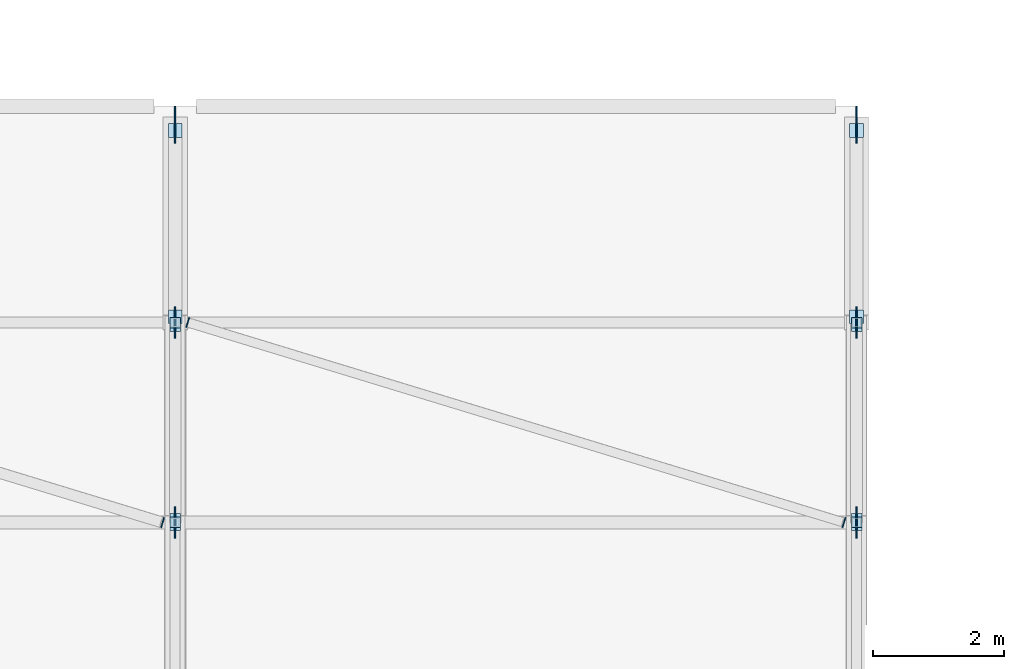
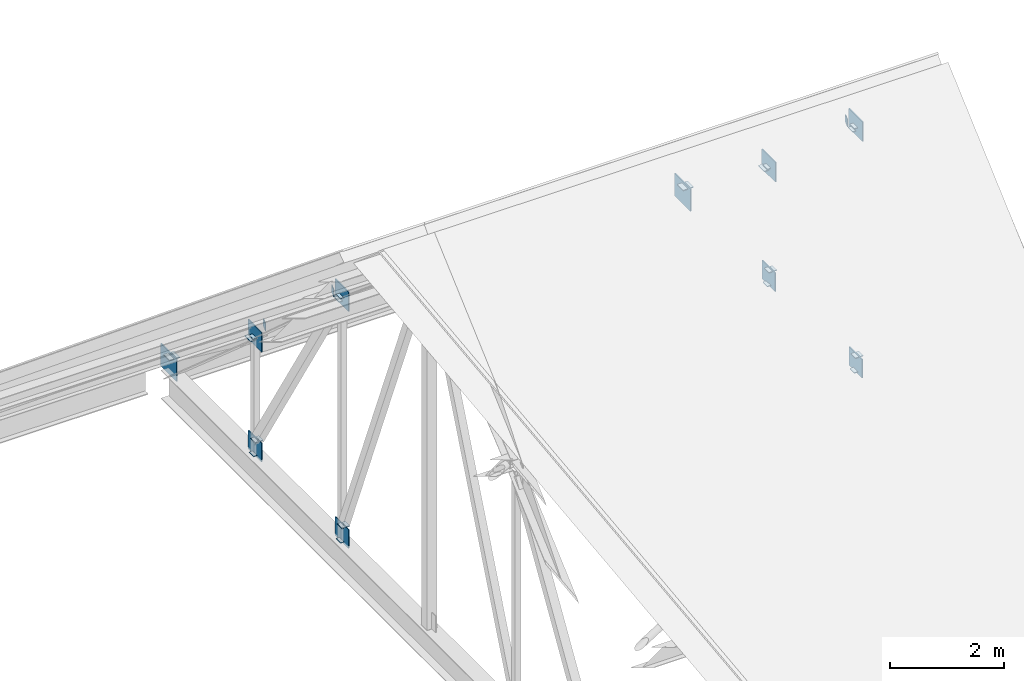
# One storey, part 54 of 86: 31 plates.
"""IFC4 building model written with IfcOpenShell, lengths in metres."""

from ifc_helpers import new_model, si_unit, derived_unit, direction, frame, origin, origin_2d, place, context, subcontext, project, spatial, rectangle, extrude, material, layer, layer_set, type_object, element, save


model = new_model("IFC4")

# Units and contexts
model_context = context("Model", 3, precision=1e-05, world=origin(), true_north=direction((0.0, 1.0)))
body_context = subcontext(model_context, "Body", "Model", "MODEL_VIEW")
ifc_project = project(units=[si_unit("LENGTHUNIT", "METRE"), si_unit("AREAUNIT", "SQUARE_METRE"), si_unit("VOLUMEUNIT", "CUBIC_METRE"), si_unit("PLANEANGLEUNIT", "RADIAN"), si_unit("MASSUNIT", "GRAM", prefix="KILO"), derived_unit("THERMALTRANSMITTANCEUNIT", [(si_unit("POWERUNIT", "WATT"), 1), (si_unit("LENGTHUNIT", "METRE"), -2), (si_unit("THERMODYNAMICTEMPERATUREUNIT", "KELVIN"), -1)])], contexts=[model_context])

# Site, building, storey
site_placement = place(None, origin())
site = spatial("IfcSite", under=ifc_project, at=site_placement, CompositionType="ELEMENT")
building_placement = place(site_placement, origin())
building = spatial("IfcBuilding", under=site, at=building_placement, Name="Braskholm Square Health Centre", CompositionType="ELEMENT")
storey_placement = place(building_placement, frame((0.0, 0.0, 13.5)))
storey = spatial("IfcBuildingStorey", under=building, at=storey_placement, Name="L04", CompositionType="ELEMENT", Elevation=13.5)

# Plates
ifc_material = material(Name="Steel ASTM A572 Grade 50", Category="steel")
ifc_layer_1 = layer(ifc_material, 0.01611328125)
ifc_layer_set_1 = layer_set([ifc_layer_1], Name="Steel ASTM A572 Grade 50")
plate_type_1 = type_object("IfcPlateType", Name="CapPlateHSS152TN8", PredefinedType="USERDEFINED", material=ifc_layer_set_1)
for number, where, z_axis, x_axis, name in (
    (1, (110.0, 100.64990234375, -0.2861328125), (0.0, 0.0, 1.0), (1.0, 0.0, 0.0), "Hollow section end cap plate 0211"),
    (2, (110.0, 100.64990234375, 4.941162109375), (0.0, 0.0, 1.0), (1.0, 0.0, 0.0), "Hollow section end cap plate 0212"),
    (3, (110.0, 103.699951171875, -0.2861328125), (0.0, 0.0, 1.0), (1.0, 0.0, 0.0), "Hollow section end cap plate 0213"),
    (4, (110.0, 103.699951171875, 2.221923828125), (0.0, 0.0, 1.0), (1.0, 0.0, 0.0), "Hollow section end cap plate 0214"),
    (5, (110.0, 100.60791015625, 0.055908203125), (0.0, 0.0, 1.0), (1.0, 0.0, 0.0), "Hollow section end cap plate 0221"),
    (6, (110.0, 103.64111328125, 0.046875), (0.0, 0.0, 1.0), (1.0, 0.0, 0.0), "Hollow section end cap plate 0223"),
    (7, (110.0, 100.708984375, 4.837890625), (0.0, 0.0, 1.0), (1.0, 0.0, 0.0), "Hollow section end cap plate 0224"),
    (8, (120.39990234375, 100.64990234375, -0.2861328125), (0.0, 0.0, 1.0), (1.0, 0.0, 0.0), "Hollow section end cap plate 0245"),
    (9, (120.39990234375, 100.64990234375, 4.941162109375), (0.0, 0.0, 1.0), (1.0, 0.0, 0.0), "Hollow section end cap plate 0246"),
    (10, (120.39990234375, 103.699951171875, -0.2861328125), (0.0, 0.0, 1.0), (1.0, 0.0, 0.0), "Hollow section end cap plate 0247"),
    (11, (120.39990234375, 103.699951171875, 2.221923828125), (0.0, 0.0, 1.0), (1.0, 0.0, 0.0), "Hollow section end cap plate 0248"),
    (12, (120.39990234375, 100.60791015625, 0.055908203125), (0.0, 0.0, 1.0), (1.0, 0.0, 0.0), "Hollow section end cap plate 0255"),
    (13, (120.39990234375, 103.64111328125, 0.046875), (0.0, 0.0, 1.0), (1.0, 0.0, 0.0), "Hollow section end cap plate 0257"),
    (14, (120.39990234375, 100.708984375, 4.837890625), (0.0, 0.0, 1.0), (1.0, 0.0, 0.0), "Hollow section end cap plate 0258"),
):
    element("IfcPlate", number, at=place(storey_placement, frame(where, z_axis=z_axis, x_axis=x_axis)), inside=storey, type_object=plate_type_1, Name=name, ObjectType="CAP_PLATE", PredefinedType="USERDEFINED", context=body_context, shape_type="SweptSolid", body=[
        extrude(rectangle(XDim=0.159912109375, YDim=0.159912109375, at=origin_2d()), origin(), (0.0, 0.0, 1.0), 0.01611328125),
    ])
for number, where, z_axis, x_axis, name in (
    (15, (109.80810546875, 100.64794921875, 5.041015625), (0.0, 0.0, 1.0), (0.956498453883, -0.291737395134, 0.0), "Hollow section end cap plate 0316"),
    (16, (110.19189453125, 103.701904296875, 2.322265625), (0.0, 0.0, 1.0), (0.956498453883, -0.291737395134, 0.0), "Hollow section end cap plate 0323"),
    (17, (120.2080078125, 100.64794921875, 5.041015625), (0.0, 0.0, 1.0), (0.956498453883, -0.291737395134, 0.0), "Hollow section end cap plate 0324"),
):
    element("IfcPlate", number, at=place(storey_placement, frame(where, z_axis=z_axis, x_axis=x_axis)), inside=storey, type_object=plate_type_1, Name=name, ObjectType="CAP_PLATE", PredefinedType="USERDEFINED", context=body_context, shape_type="SweptSolid", body=[
        extrude(rectangle(XDim=0.01611328125, YDim=0.159912109375, at=origin_2d()), origin(), (0.0, 0.0, 1.0), 0.159912109375),
    ])
ifc_layer_2 = layer(ifc_material, 0.01611328125)
ifc_layer_set_2 = layer_set([ifc_layer_2], Name="Steel ASTM A572 Grade 50")
plate_type_2 = type_object("IfcPlateType", Name="CapPlateHSS203TN6", PredefinedType="USERDEFINED", material=ifc_layer_set_2)
for number, where, z_axis, x_axis, name in (
    (18, (110.0, 106.6298828125, 0.01904296875), (0.0, 0.0, 1.0), (1.0, 0.0, 0.0), "Hollow section end cap plate 0225"),
    (19, (110.0, 103.7900390625, 2.14697265625), (0.0, 0.0, 1.0), (1.0, 0.0, 0.0), "Hollow section end cap plate 0226"),
    (20, (120.39990234375, 106.6298828125, 0.01904296875), (0.0, 0.0, 1.0), (1.0, 0.0, 0.0), "Hollow section end cap plate 0259"),
    (21, (120.39990234375, 103.7900390625, 2.14697265625), (0.0, 0.0, 1.0), (1.0, 0.0, 0.0), "Hollow section end cap plate 0260"),
):
    element("IfcPlate", number, at=place(storey_placement, frame(where, z_axis=z_axis, x_axis=x_axis)), inside=storey, type_object=plate_type_2, Name=name, ObjectType="CAP_PLATE", PredefinedType="USERDEFINED", context=body_context, shape_type="SweptSolid", body=[
        extrude(rectangle(XDim=0.2099609375, YDim=0.2099609375, at=origin_2d()), origin(), (0.0, 0.0, 1.0), 0.01611328125),
    ])
ifc_layer_3 = layer(ifc_material, 0.02001953125)
ifc_layer_set_3 = layer_set([ifc_layer_3], Name="Steel ASTM A572 Grade 50")
plate_type_3 = type_object("IfcPlateType", Name="NodeGussetBottomPanelTN3", PredefinedType="USERDEFINED", material=ifc_layer_set_3)
for number, where, z_axis, x_axis, name in (
    (22, (110.0, 100.64990234375, -0.320068359375), (0.0, 0.0, 1.0), (1.0, 0.0, 0.0), "Truss node gusset plate 0233"),
    (23, (110.0, 103.699951171875, -0.320068359375), (0.0, 0.0, 1.0), (1.0, 0.0, 0.0), "Truss node gusset plate 0234"),
    (24, (120.39990234375, 100.64990234375, -0.320068359375), (0.0, 0.0, 1.0), (1.0, 0.0, 0.0), "Truss node gusset plate 0267"),
    (25, (120.39990234375, 103.699951171875, -0.320068359375), (0.0, 0.0, 1.0), (1.0, 0.0, 0.0), "Truss node gusset plate 0268"),
):
    element("IfcPlate", number, at=place(storey_placement, frame(where, z_axis=z_axis, x_axis=x_axis)), inside=storey, type_object=plate_type_3, Name=name, ObjectType="GUSSET_PLATE", PredefinedType="USERDEFINED", context=body_context, shape_type="SweptSolid", body=[
        extrude(rectangle(XDim=0.02001953125, YDim=0.4599609375, at=origin_2d()), origin(), (0.0, 0.0, 1.0), 0.39990234375),
    ])
ifc_layer_4 = layer(ifc_material, 0.02392578125)
ifc_layer_set_4 = layer_set([ifc_layer_4], Name="Steel ASTM A572 Grade 50")
plate_type_4 = type_object("IfcPlateType", Name="NodeGussetHeelTN1", PredefinedType="USERDEFINED", material=ifc_layer_set_4)
for number, where, z_axis, x_axis, name in (
    (26, (110.0, 106.719970703125, -0.39990234375), (0.0, 0.0, 1.0), (1.0, 0.0, 0.0), "Truss node gusset plate 0228"),
    (27, (120.39990234375, 106.719970703125, -0.39990234375), (0.0, 0.0, 1.0), (1.0, 0.0, 0.0), "Truss node gusset plate 0262"),
):
    element("IfcPlate", number, at=place(storey_placement, frame(where, z_axis=z_axis, x_axis=x_axis)), inside=storey, type_object=plate_type_4, Name=name, ObjectType="GUSSET_PLATE", PredefinedType="USERDEFINED", context=body_context, shape_type="SweptSolid", body=[
        extrude(rectangle(XDim=0.02392578125, YDim=0.56005859375, at=origin_2d()), origin(), (0.0, 0.0, 1.0), 0.47998046875),
    ])
ifc_layer_5 = layer(ifc_material, 0.02197265625)
ifc_layer_set_5 = layer_set([ifc_layer_5], Name="Steel ASTM A572 Grade 50")
plate_type_5 = type_object("IfcPlateType", Name="NodeGussetTopPanelTN4", PredefinedType="USERDEFINED", material=ifc_layer_set_5)
for number, where, z_axis, x_axis, name in (
    (28, (110.0, 100.64990234375, 4.7509765625), (0.0, 0.0, 1.0), (1.0, 0.0, 0.0), "Truss node gusset plate 0237"),
    (29, (110.0, 103.699951171875, 2.031982421875), (0.0, 0.0, 1.0), (1.0, 0.0, 0.0), "Truss node gusset plate 0238"),
    (30, (120.39990234375, 100.64990234375, 4.7509765625), (0.0, 0.0, 1.0), (1.0, 0.0, 0.0), "Truss node gusset plate 0271"),
    (31, (120.39990234375, 103.699951171875, 2.031982421875), (0.0, 0.0, 1.0), (1.0, 0.0, 0.0), "Truss node gusset plate 0272"),
):
    element("IfcPlate", number, at=place(storey_placement, frame(where, z_axis=z_axis, x_axis=x_axis)), inside=storey, type_object=plate_type_5, Name=name, ObjectType="GUSSET_PLATE", PredefinedType="USERDEFINED", context=body_context, shape_type="SweptSolid", body=[
        extrude(rectangle(XDim=0.02197265625, YDim=0.47998046875, at=origin_2d()), origin(), (0.0, 0.0, 1.0), 0.419921875),
    ])

save(model, "model.ifc")
